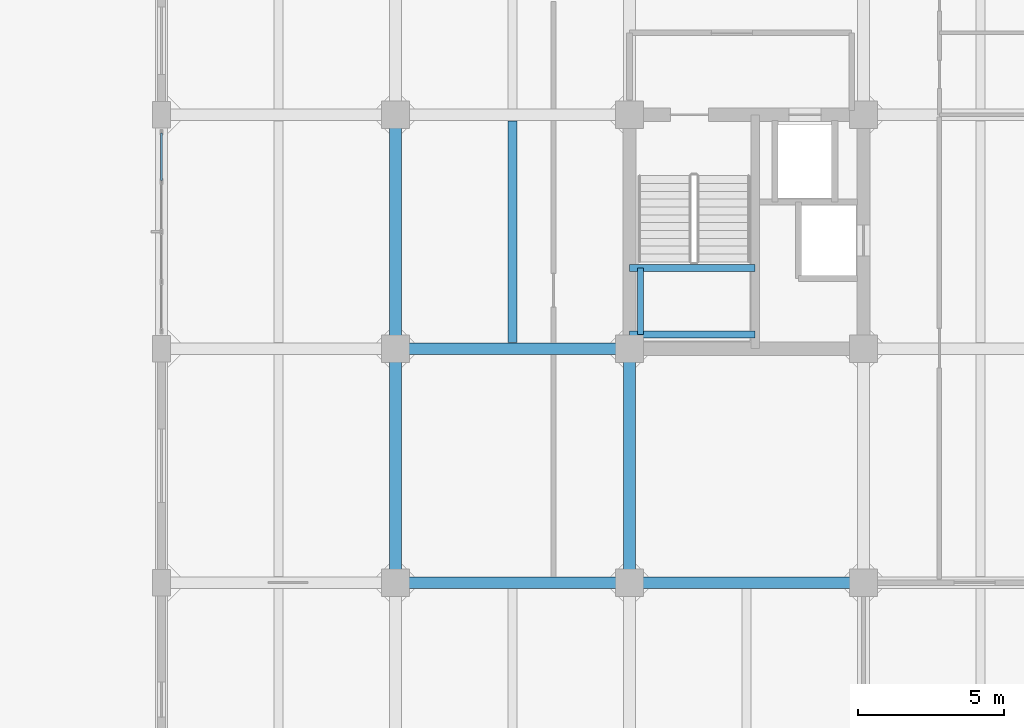
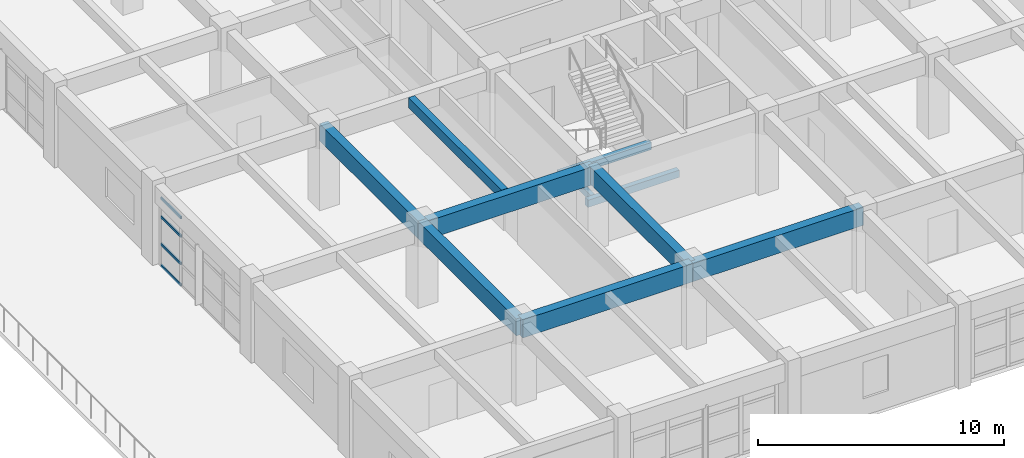
# One storey, part 5 of 35: 10 beams, 4 members, 1 element without a shape of its own.
"""IFC4 building model written with IfcOpenShell, lengths in metres."""

from ifc_helpers import new_model, si_unit, direction, frame, origin, origin_2d, place, context, subcontext, project, spatial, rectangle, hollow_rectangle, extrude, material, layer, layer_set, material_profile, profile_set, type_object, element, aggregate, save


model = new_model("IFC4")

# Units and contexts
model_context = context("Model", 3, precision=1e-05, world=origin(), true_north=direction((0.0, 1.0)))
body_context = subcontext(model_context, "Body", "Model", "MODEL_VIEW")
ifc_project = project(units=[si_unit("LENGTHUNIT", "METRE"), si_unit("AREAUNIT", "SQUARE_METRE"), si_unit("VOLUMEUNIT", "CUBIC_METRE"), si_unit("PLANEANGLEUNIT", "RADIAN"), si_unit("MASSUNIT", "GRAM", prefix="KILO")], contexts=[model_context])

# Site, building, storey
site_placement = place(None, origin())
site = spatial("IfcSite", under=ifc_project, at=site_placement, CompositionType="ELEMENT")
building_placement = place(site_placement, origin())
building = spatial("IfcBuilding", under=site, at=building_placement, Name="Canggui Botanical Conservatory", CompositionType="ELEMENT")
storey_placement = place(building_placement, frame((0.0, 0.0, 15.0)))
storey = spatial("IfcBuildingStorey", under=building, at=storey_placement, Name="L04", CompositionType="ELEMENT", Elevation=15.0)

# Beams
ifc_material_1 = material(Name="Concrete C35", Category="concrete")
ifc_material_profile_1 = material_profile(ifc_material_1, rectangle(XDim=0.300048828125, YDim=0.5, at=origin_2d()), Name="RB 300x500")
ifc_profile_set_1 = profile_set([ifc_material_profile_1], Name="Concrete C35")
beam_type_1 = type_object("IfcBeamType", Name="BM-JST02", PredefinedType="JOIST", material=ifc_profile_set_1)
beam_1_placement = place(storey_placement, frame((150.0, 42.205078125, 3.699951171875), z_axis=(0.0, 1.0, 0.0), x_axis=(-1.0, 0.0, 0.0)))
element("IfcBeam", 1, at=beam_1_placement, inside=storey, type_object=beam_type_1, Name="Secondary Floor Joist L04-2-3", PredefinedType="JOIST", context=body_context, shape_type="SweptSolid", body=[
    extrude(rectangle(XDim=0.300048828125, YDim=0.5, at=origin_2d()), origin(), (0.0, 0.0, 1.0), 7.58984375),
])
ifc_material_profile_2 = material_profile(ifc_material_1, rectangle(XDim=0.39990234375, YDim=0.89990234375, at=origin_2d()), Name="RB 400x900")
ifc_profile_set_2 = profile_set([ifc_material_profile_2], Name="Concrete C35")
beam_type_2 = type_object("IfcBeamType", Name="BM-KL07", PredefinedType="BEAM", material=ifc_profile_set_2)
for number, where, z_axis, x_axis, name in (
    (2, (146.0, 34.0, 3.5), (1.0, 0.0, 0.0), (0.0, 1.0, 0.0), "Frame Girder L04 Y34-2"),
    (3, (154.0, 34.0, 3.5), (1.0, 0.0, 0.0), (0.0, 1.0, 0.0), "Frame Girder L04 Y34-3"),
    (4, (146.0, 42.0, 3.5), (1.0, 0.0, 0.0), (0.0, 1.0, 0.0), "Frame Girder L04 Y42-2"),
):
    element("IfcBeam", number, at=place(storey_placement, frame(where, z_axis=z_axis, x_axis=x_axis)), inside=storey, type_object=beam_type_2, Name=name, PredefinedType="BEAM", context=body_context, shape_type="SweptSolid", body=[
        extrude(rectangle(XDim=0.39990234375, YDim=0.89990234375, at=origin_2d()), origin(), (0.0, 0.0, 1.0), 8.0),
    ])
ifc_material_profile_3 = material_profile(ifc_material_1, rectangle(XDim=0.39990234375, YDim=0.85009765625, at=origin_2d()), Name="RB 400x850")
ifc_profile_set_3 = profile_set([ifc_material_profile_3], Name="Concrete C35")
beam_type_3 = type_object("IfcBeamType", Name="BM-KL08", PredefinedType="BEAM", material=ifc_profile_set_3)
for number, where, z_axis, x_axis, name in (
    (5, (146.0, 34.0, 3.52490234375), (0.0, 1.0, 0.0), (-1.0, 0.0, 0.0), "Frame Girder L04 X146-2"),
    (6, (146.0, 42.0, 3.52490234375), (0.0, 1.0, 0.0), (-1.0, 0.0, 0.0), "Frame Girder L04 X146-3"),
    (7, (154.0, 34.0, 3.52490234375), (0.0, 1.0, 0.0), (-1.0, 0.0, 0.0), "Frame Girder L04 X154-2"),
):
    element("IfcBeam", number, at=place(storey_placement, frame(where, z_axis=z_axis, x_axis=x_axis)), inside=storey, type_object=beam_type_3, Name=name, PredefinedType="BEAM", context=body_context, shape_type="SweptSolid", body=[
        extrude(rectangle(XDim=0.39990234375, YDim=0.85009765625, at=origin_2d()), origin(), (0.0, 0.0, 1.0), 8.0),
    ])
ifc_material_profile_4 = material_profile(ifc_material_1, rectangle(XDim=0.239990234375, YDim=0.360107421875, at=origin_2d()), Name="RB 240x360")
ifc_profile_set_4 = profile_set([ifc_material_profile_4], Name="Concrete C35")
beam_type_4 = type_object("IfcBeamType", Name="BM-LIN01", PredefinedType="LINTEL", material=ifc_profile_set_4)
for number, where, z_axis, x_axis, name in (
    (8, (154.0, 42.47998046875, 1.719970703125), (1.0, 0.0, 0.0), (0.0, 1.0, 0.0), "ST-T1 Half-Landing Ledger Beam L04-1.1"),
    (9, (154.0, 44.75244140625, 1.719970703125), (1.0, 0.0, 0.0), (0.0, 1.0, 0.0), "ST-T1 Half-Landing Ledger Beam L04-1.2"),
):
    element("IfcBeam", number, at=place(storey_placement, frame(where, z_axis=z_axis, x_axis=x_axis)), inside=storey, type_object=beam_type_4, Name=name, PredefinedType="LINTEL", context=body_context, shape_type="SweptSolid", body=[
        extrude(rectangle(XDim=0.239990234375, YDim=0.360107421875, at=origin_2d()), origin(), (0.0, 0.0, 1.0), 4.300048828125),
    ])
ifc_material_profile_5 = material_profile(ifc_material_1, rectangle(XDim=0.199951171875, YDim=0.320068359375, at=origin_2d()), Name="RB 200x320")
ifc_profile_set_5 = profile_set([ifc_material_profile_5], Name="Concrete C35")
beam_type_5 = type_object("IfcBeamType", Name="BM-LIN02", PredefinedType="LINTEL", material=ifc_profile_set_5)
beam_2_placement = place(storey_placement, frame((154.3798828125, 42.47998046875, 1.719970703125), z_axis=(0.0, 1.0, 0.0), x_axis=(-1.0, 0.0, 0.0)))
element("IfcBeam", 10, at=beam_2_placement, inside=storey, type_object=beam_type_5, Name="ST-T1 Half-Landing Edge Ledger L04-1.3", PredefinedType="LINTEL", context=body_context, shape_type="SweptSolid", body=[
    extrude(rectangle(XDim=0.199951171875, YDim=0.320068359375, at=origin_2d()), origin(), (0.0, 0.0, 1.0), 2.2724609375),
])

# Curtain wall, members
ifc_material_2 = material(Name="Thermally Broken Aluminium", Category="aluminium")
ifc_layer = layer(ifc_material_2, 0.179931640625, Name="Thermally Broken Aluminium", Category="aluminium")
ifc_layer_set = layer_set([ifc_layer], Name="Thermally Broken Aluminium")
curtain_wall_type = type_object("IfcCurtainWallType", Name="CW-UNIT-A", PredefinedType="USERDEFINED", material=ifc_layer_set)
curtain_wall_placement = place(storey_placement, origin())
curtain_wall = element("IfcCurtainWall", 11, at=curtain_wall_placement, inside=storey, type_object=curtain_wall_type, Name="Facade Curtain Wall CW-TWR-L04-08", ObjectType="UNITISED CURTAIN WALL", PredefinedType="USERDEFINED")
ifc_material_profile_6 = material_profile(ifc_material_2, hollow_rectangle(XDim=0.06494140625, YDim=0.1298828125, WallThickness=0.00341796875, at=origin_2d()), Name="CWT 65x130x3.5")
ifc_profile_set_6 = profile_set([ifc_material_profile_6], Name="Thermally Broken Aluminium")
member_type = type_object("IfcMemberType", Name="CWT-01", PredefinedType="USERDEFINED", material=ifc_profile_set_6)
member_1_placement = place(storey_placement, frame((138.0, 47.7548828125, 0.032470703125), z_axis=(0.0, 1.0, 0.0), x_axis=(-1.0, 0.0, 0.0)))
member_1 = element("IfcMember", 12, at=member_1_placement, type_object=member_type, Name="CW-01 transom 4.1", ObjectType="TRANSOM", PredefinedType="USERDEFINED", context=body_context, shape_type="SweptSolid", body=[
    extrude(hollow_rectangle(XDim=0.06494140625, YDim=0.1298828125, WallThickness=0.00341796875, at=origin_2d()), origin(), (0.0, 0.0, 1.0), 1.615234375),
])
member_2_placement = place(storey_placement, frame((138.0, 47.7548828125, 1.087890625), z_axis=(0.0, 1.0, 0.0), x_axis=(-1.0, 0.0, 0.0)))
member_2 = element("IfcMember", 13, at=member_2_placement, type_object=member_type, Name="CW-01 transom 4.2", ObjectType="TRANSOM", PredefinedType="USERDEFINED", context=body_context, shape_type="SweptSolid", body=[
    extrude(hollow_rectangle(XDim=0.06494140625, YDim=0.1298828125, WallThickness=0.00341796875, at=origin_2d()), origin(), (0.0, 0.0, 1.0), 1.615234375),
])
member_3_placement = place(storey_placement, frame((138.0, 47.7548828125, 2.447998046875), z_axis=(0.0, 1.0, 0.0), x_axis=(-1.0, 0.0, 0.0)))
member_3 = element("IfcMember", 14, at=member_3_placement, type_object=member_type, Name="CW-01 transom 4.3", ObjectType="TRANSOM", PredefinedType="USERDEFINED", context=body_context, shape_type="SweptSolid", body=[
    extrude(hollow_rectangle(XDim=0.06494140625, YDim=0.1298828125, WallThickness=0.00341796875, at=origin_2d()), origin(), (0.0, 0.0, 1.0), 1.615234375),
])
member_4_placement = place(storey_placement, frame((138.0, 47.7548828125, 3.367431640625), z_axis=(0.0, 1.0, 0.0), x_axis=(-1.0, 0.0, 0.0)))
member_4 = element("IfcMember", 15, at=member_4_placement, type_object=member_type, Name="CW-01 transom 4.4", ObjectType="TRANSOM", PredefinedType="USERDEFINED", context=body_context, shape_type="SweptSolid", body=[
    extrude(hollow_rectangle(XDim=0.06494140625, YDim=0.1298828125, WallThickness=0.00341796875, at=origin_2d()), origin(), (0.0, 0.0, 1.0), 1.615234375),
])
aggregate(curtain_wall, [member_1, member_2, member_3, member_4])

save(model, "model.ifc")
